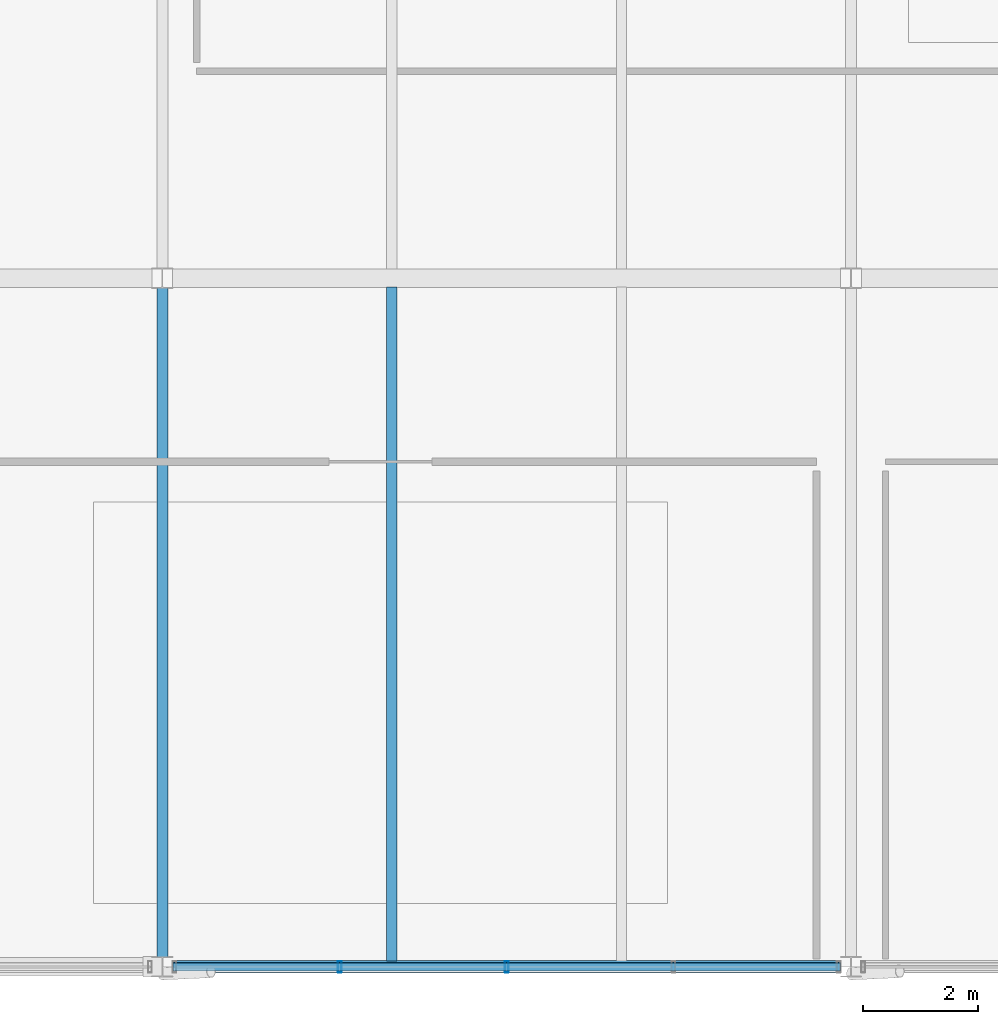
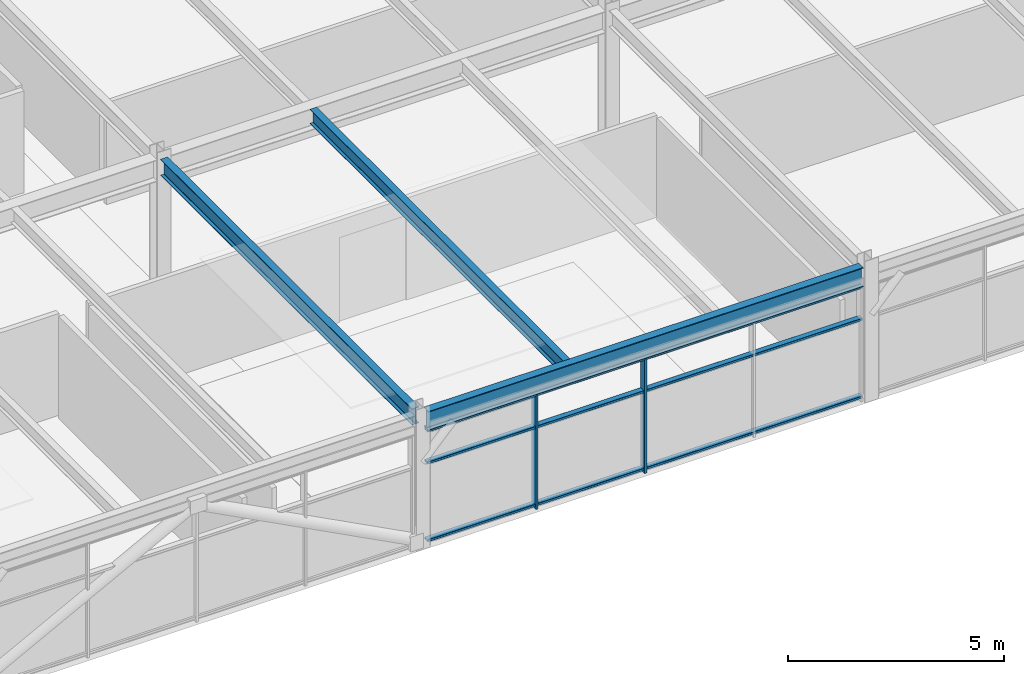
# One storey, part 7 of 23: 5 members, 3 beams, 1 element without a shape of its own.
"""IFC4 building model written with IfcOpenShell, lengths in metres."""

from ifc_helpers import new_model, si_unit, direction, frame, origin, origin_2d, place, context, subcontext, project, spatial, hollow_rectangle, i_section, extrude, material, material_profile, profile_set, type_object, element, aggregate, save


model = new_model("IFC4")

# Units and contexts
model_context = context("Model", 3, precision=1e-05, world=origin(), true_north=direction((0.0, 1.0)))
body_context = subcontext(model_context, "Body", "Model", "MODEL_VIEW")
ifc_project = project(units=[si_unit("LENGTHUNIT", "METRE"), si_unit("AREAUNIT", "SQUARE_METRE"), si_unit("VOLUMEUNIT", "CUBIC_METRE"), si_unit("PLANEANGLEUNIT", "RADIAN"), si_unit("MASSUNIT", "GRAM", prefix="KILO")], contexts=[model_context])

# Site, building, storey
site_placement = place(None, origin())
site = spatial("IfcSite", under=ifc_project, at=site_placement, CompositionType="ELEMENT")
building_placement = place(site_placement, origin())
building = spatial("IfcBuilding", under=site, at=building_placement, Name="Girod Span Mobility Hub", CompositionType="ELEMENT")
storey_placement = place(building_placement, frame((0.0, 0.0, 65.60009765625)))
storey = spatial("IfcBuildingStorey", under=building, at=storey_placement, Name="L16", CompositionType="ELEMENT", Elevation=65.60009765625)

# Beams
ifc_material_1 = material(Name="Steel A992 Grade 50", Category="steel")
ifc_material_profile_1 = material_profile(ifc_material_1, i_section(OverallWidth=0.178955078125, OverallDepth=0.409912109375, WebThickness=0.0087890625, FlangeThickness=0.014404296875, FilletRadius=0.012939453125, at=origin_2d()), Name="W16X45")
ifc_profile_set_1 = profile_set([ifc_material_profile_1], Name="Steel A992 Grade 50")
beam_type_1 = type_object("IfcBeamType", Name="BM-STL-W16X45", PredefinedType="BEAM", material=ifc_profile_set_1)
beam_1_placement = place(storey_placement, frame((76.0, 45.10302734375, 3.5849609375), z_axis=(0.0, 1.0, 0.0), x_axis=(-1.0, 0.0, 0.0)))
element("IfcBeam", 1, at=beam_1_placement, inside=storey, type_object=beam_type_1, Name="Composite Floorbeam 7/D-1 L16", PredefinedType="BEAM", context=body_context, shape_type="SweptSolid", body=[
    extrude(i_section(OverallWidth=0.178955078125, OverallDepth=0.409912109375, WebThickness=0.0087890625, FlangeThickness=0.014404296875, FilletRadius=0.012939453125, at=origin_2d()), origin(), (0.0, 0.0, 1.0), 11.738037109375),
])
ifc_material_2 = material(Name="Steel A992 Grade 50", Category="steel")
ifc_material_profile_2 = material_profile(ifc_material_2, i_section(OverallWidth=0.19189453125, OverallDepth=0.462890625, WebThickness=0.010498046875, FlangeThickness=0.017578125, FilletRadius=0.013916015625, at=origin_2d()), Name="W18X60")
ifc_profile_set_2 = profile_set([ifc_material_profile_2], Name="Steel A992 Grade 50")
beam_type_2 = type_object("IfcBeamType", Name="BM-STL-W18X60", PredefinedType="BEAM", material=ifc_profile_set_2)
beam_2_placement = place(storey_placement, frame((72.0, 45.175048828125, 3.558349609375), z_axis=(0.0, 1.0, 0.0), x_axis=(-1.0, 0.0, 0.0)))
element("IfcBeam", 2, at=beam_2_placement, inside=storey, type_object=beam_type_2, Name="Tie Girder 7/D-E L16", PredefinedType="BEAM", context=body_context, shape_type="SweptSolid", body=[
    extrude(i_section(OverallWidth=0.19189453125, OverallDepth=0.462890625, WebThickness=0.010498046875, FlangeThickness=0.017578125, FilletRadius=0.013916015625, at=origin_2d()), origin(), (0.0, 0.0, 1.0), 11.64990234375),
])
ifc_material_3 = material(Name="Steel A992 Grade 50", Category="steel")
ifc_material_profile_3 = material_profile(ifc_material_3, i_section(OverallWidth=0.2119140625, OverallDepth=0.5439453125, WebThickness=0.01318359375, FlangeThickness=0.021240234375, FilletRadius=0.014892578125, at=origin_2d()), Name="W21X83")
ifc_profile_set_3 = profile_set([ifc_material_profile_3], Name="Steel A992 Grade 50")
beam_type_3 = type_object("IfcBeamType", Name="BM-STL-W21X83", PredefinedType="SPANDREL", material=ifc_profile_set_3)
beam_3_placement = place(storey_placement, frame((72.181396484375, 45.0, 3.517822265625), z_axis=(1.0, 0.0, 0.0), x_axis=(0.0, 1.0, 0.0)))
element("IfcBeam", 3, at=beam_3_placement, inside=storey, type_object=beam_type_3, Name="Girder 7-8/D L16", PredefinedType="SPANDREL", context=body_context, shape_type="SweptSolid", body=[
    extrude(i_section(OverallWidth=0.2119140625, OverallDepth=0.5439453125, WebThickness=0.01318359375, FlangeThickness=0.021240234375, FilletRadius=0.014892578125, at=origin_2d()), origin(), (0.0, 0.0, 1.0), 11.63720703125),
])

# Curtain wall, members
ifc_material_4 = material(Name="Thermally Broken Anodised Aluminium", Category="aluminium")
curtain_wall_type = type_object("IfcCurtainWallType", Name="CW-1164X325", PredefinedType="USERDEFINED", material=ifc_material_4)
curtain_wall_placement = place(storey_placement, origin())
curtain_wall = element("IfcCurtainWall", 4, at=curtain_wall_placement, inside=storey, type_object=curtain_wall_type, Name="Unitised Curtain Wall CW-L16-S07 L16", ObjectType="UNITISED CURTAIN WALL", PredefinedType="USERDEFINED")
ifc_material_5 = material(Name="Thermally Broken Anodised Aluminium", Category="aluminium")
ifc_material_profile_4 = material_profile(ifc_material_5, hollow_rectangle(XDim=0.199951171875, YDim=0.06494140625, WallThickness=0.00390625, InnerFilletRadius=0.00390625, OuterFilletRadius=0.008056640625, at=origin_2d()), Name="CW-ML-65X200")
ifc_profile_set_4 = profile_set([ifc_material_profile_4], Name="Thermally Broken Anodised Aluminium")
member_type_1 = type_object("IfcMemberType", Name="CWM-ML-1", PredefinedType="MULLION", material=ifc_profile_set_4)
member_1_placement = place(storey_placement, frame((75.09130859375, 45.0, 0.0), z_axis=(0.0, 0.0, 1.0), x_axis=(0.0, 1.0, 0.0)))
member_1 = element("IfcMember", 5, at=member_1_placement, type_object=member_type_1, Name="Curtain Wall Mullion CW-L16-S07-M1", PredefinedType="MULLION", context=body_context, shape_type="SweptSolid", body=[
    extrude(hollow_rectangle(XDim=0.199951171875, YDim=0.06494140625, WallThickness=0.00390625, InnerFilletRadius=0.00390625, OuterFilletRadius=0.008056640625, at=origin_2d()), origin(), (0.0, 0.0, 1.0), 3.245849609375),
])
member_2_placement = place(storey_placement, frame((78.0, 45.0, 0.0), z_axis=(0.0, 0.0, 1.0), x_axis=(0.0, 1.0, 0.0)))
member_2 = element("IfcMember", 6, at=member_2_placement, type_object=member_type_1, Name="Curtain Wall Mullion CW-L16-S07-M2", PredefinedType="MULLION", context=body_context, shape_type="SweptSolid", body=[
    extrude(hollow_rectangle(XDim=0.199951171875, YDim=0.06494140625, WallThickness=0.00390625, InnerFilletRadius=0.00390625, OuterFilletRadius=0.008056640625, at=origin_2d()), origin(), (0.0, 0.0, 1.0), 3.245849609375),
])
ifc_material_6 = material(Name="Thermally Broken Anodised Aluminium", Category="aluminium")
ifc_material_profile_5 = material_profile(ifc_material_6, hollow_rectangle(XDim=0.14990234375, YDim=0.06494140625, WallThickness=0.00390625, InnerFilletRadius=0.00390625, OuterFilletRadius=0.008056640625, at=origin_2d()), Name="CW-TR-65X150")
ifc_profile_set_5 = profile_set([ifc_material_profile_5], Name="Thermally Broken Anodised Aluminium")
member_type_2 = type_object("IfcMemberType", Name="CWM-TR-1", PredefinedType="USERDEFINED", material=ifc_profile_set_5)
member_3_placement = place(storey_placement, frame((72.1826171875, 45.0, 0.107421875), z_axis=(1.0, 0.0, 0.0), x_axis=(0.0, 1.0, 0.0)))
member_3 = element("IfcMember", 7, at=member_3_placement, type_object=member_type_2, Name="Curtain Wall Transom CW-L16-S07-T1", ObjectType="TRANSOM", PredefinedType="USERDEFINED", context=body_context, shape_type="SweptSolid", body=[
    extrude(hollow_rectangle(XDim=0.14990234375, YDim=0.06494140625, WallThickness=0.00390625, InnerFilletRadius=0.00390625, OuterFilletRadius=0.008056640625, at=origin_2d()), origin(), (0.0, 0.0, 1.0), 11.634765625),
])
member_4_placement = place(storey_placement, frame((72.1826171875, 45.0, 2.304443359375), z_axis=(1.0, 0.0, 0.0), x_axis=(0.0, 1.0, 0.0)))
member_4 = element("IfcMember", 8, at=member_4_placement, type_object=member_type_2, Name="Curtain Wall Transom CW-L16-S07-T2", ObjectType="TRANSOM", PredefinedType="USERDEFINED", context=body_context, shape_type="SweptSolid", body=[
    extrude(hollow_rectangle(XDim=0.14990234375, YDim=0.06494140625, WallThickness=0.00390625, InnerFilletRadius=0.00390625, OuterFilletRadius=0.008056640625, at=origin_2d()), origin(), (0.0, 0.0, 1.0), 11.634765625),
])
member_5_placement = place(storey_placement, frame((72.1826171875, 45.0, 3.21337890625), z_axis=(1.0, 0.0, 0.0), x_axis=(0.0, 1.0, 0.0)))
member_5 = element("IfcMember", 9, at=member_5_placement, type_object=member_type_2, Name="Curtain Wall Transom CW-L16-S07-T3", ObjectType="TRANSOM", PredefinedType="USERDEFINED", context=body_context, shape_type="SweptSolid", body=[
    extrude(hollow_rectangle(XDim=0.14990234375, YDim=0.06494140625, WallThickness=0.00390625, InnerFilletRadius=0.00390625, OuterFilletRadius=0.008056640625, at=origin_2d()), origin(), (0.0, 0.0, 1.0), 11.634765625),
])
aggregate(curtain_wall, [member_1, member_2, member_3, member_4, member_5])

save(model, "model.ifc")
